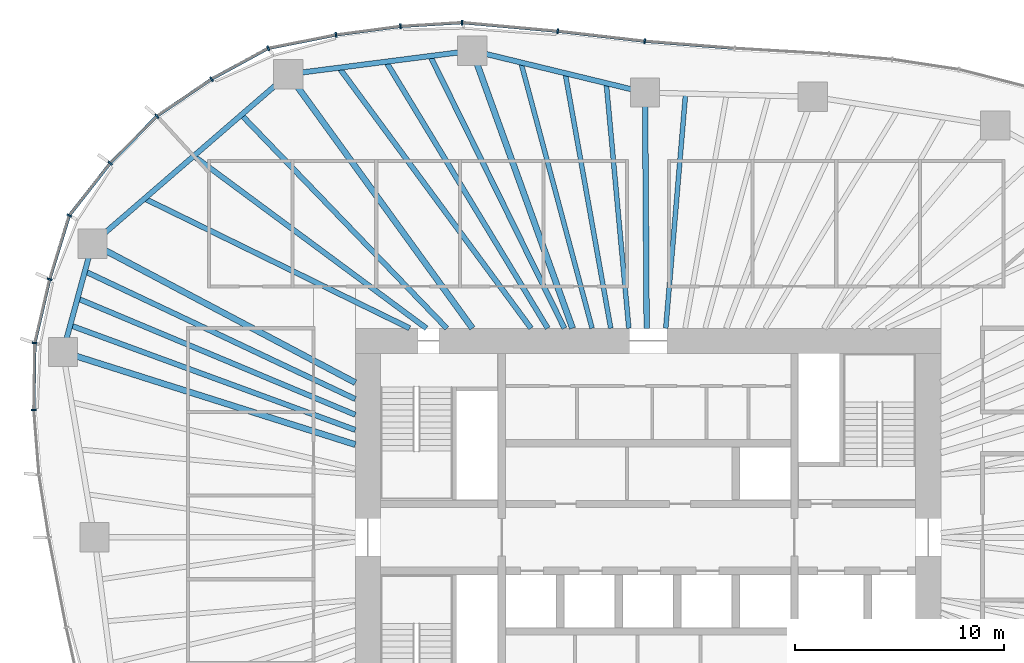
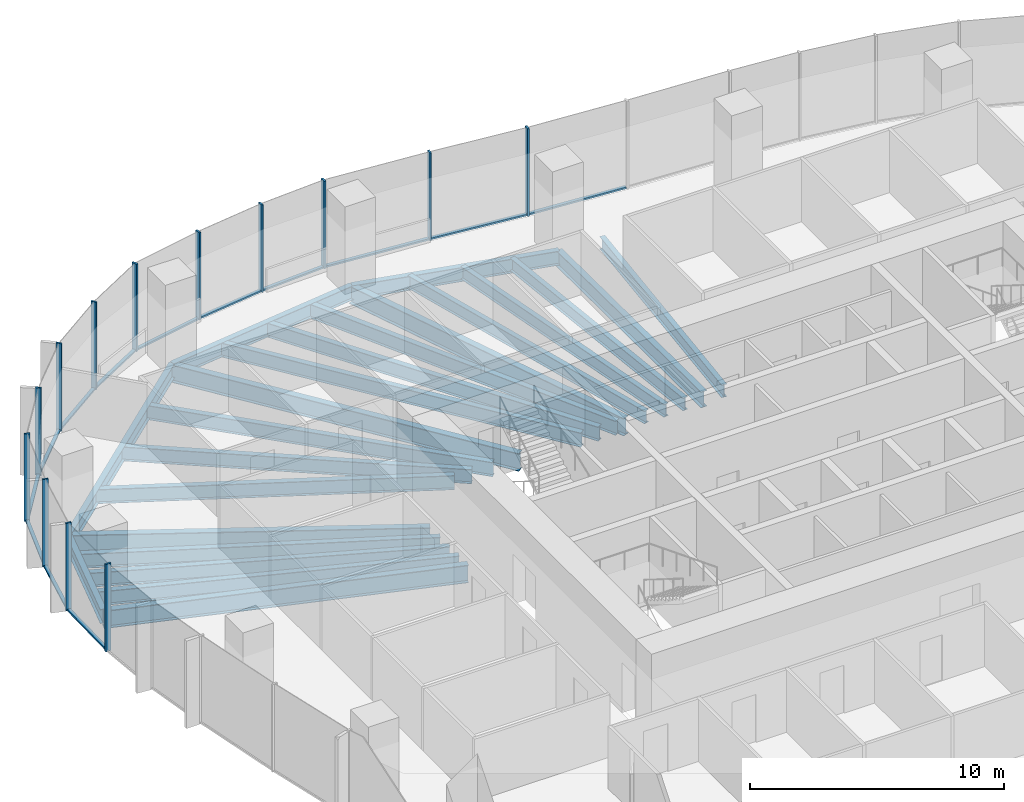
# One storey, part 5 of 18: 26 members, 22 beams, 6 elements without a shape of their own.
"""IFC4 building model written with IfcOpenShell, lengths in metres."""

from ifc_helpers import new_model, si_unit, direction, frame, origin, origin_2d, place, context, subcontext, project, spatial, rectangle, i_section, extrude, material, material_profile, profile_set, type_object, element, aggregate, save


model = new_model("IFC4")

# Units and contexts
model_context = context("Model", 3, precision=1e-05, world=origin(), true_north=direction((0.0, 1.0)))
body_context = subcontext(model_context, "Body", "Model", "MODEL_VIEW")
ifc_project = project(units=[si_unit("LENGTHUNIT", "METRE"), si_unit("AREAUNIT", "SQUARE_METRE"), si_unit("VOLUMEUNIT", "CUBIC_METRE"), si_unit("PLANEANGLEUNIT", "RADIAN"), si_unit("MASSUNIT", "GRAM", prefix="KILO")], contexts=[model_context])

# Site, building, storey
site_placement = place(None, origin())
site = spatial("IfcSite", under=ifc_project, at=site_placement, CompositionType="ELEMENT")
building_placement = place(site_placement, origin())
building = spatial("IfcBuilding", under=site, at=building_placement, Name="Ghaith Harvest Tower", CompositionType="ELEMENT")
storey_placement = place(building_placement, frame((0.0, 0.0, 172.199951171875)))
storey = spatial("IfcBuildingStorey", under=building, at=storey_placement, Name="L37", CompositionType="ELEMENT", Elevation=172.199951171875)

# Curtain wall, members
ifc_material_1 = material(Name="Black anodised aluminium and fritted glass", Category="aluminium")
curtain_wall_type = type_object("IfcCurtainWallType", Name="CW-L CURTAIN WALL", PredefinedType="NOTDEFINED", material=ifc_material_1)
curtain_wall_1_placement = place(storey_placement, origin())
curtain_wall_1 = element("IfcCurtainWall", 1, at=curtain_wall_1_placement, inside=storey, type_object=curtain_wall_type, Name="Curtain wall CW-L bay 06 L37", PredefinedType="NOTDEFINED")
ifc_material_2 = material(Name="Aluminium, black anodised", Category="aluminium")
ifc_material_profile_1 = material_profile(ifc_material_2, rectangle(XDim=0.080078125, YDim=0.239990234375, at=origin_2d()), Name="CW-L MULLION 80x240")
ifc_profile_set_1 = profile_set([ifc_material_profile_1], Name="Aluminium, black anodised")
member_type_1 = type_object("IfcMemberType", Name="CW-L MULLION 80x240", PredefinedType="MULLION", material=ifc_profile_set_1)
member_1_placement = place(storey_placement, frame((-0.162353515625, 23.729736328125, 0.0), z_axis=(0.0, 0.0, 1.0), x_axis=(-0.995388088953, 0.095929934691, 0.0)))
member_1 = element("IfcMember", 2, at=member_1_placement, type_object=member_type_1, Name="CW-L mullion 1 bay 06 L37", PredefinedType="MULLION", context=body_context, shape_type="SweptSolid", body=[
    extrude(rectangle(XDim=0.080078125, YDim=0.239990234375, at=origin_2d()), origin(), (0.0, 0.0, 1.0), 4.199951171875),
])
member_2_placement = place(storey_placement, frame((-4.322998046875, 24.207275390625, 0.0), z_axis=(0.0, 0.0, 1.0), x_axis=(-0.994830371571, 0.101550636625, 0.0)))
member_2 = element("IfcMember", 3, at=member_2_placement, type_object=member_type_1, Name="CW-L mullion 2 bay 06 L37", PredefinedType="MULLION", context=body_context, shape_type="SweptSolid", body=[
    extrude(rectangle(XDim=0.080078125, YDim=0.239990234375, at=origin_2d()), origin(), (0.0, 0.0, 1.0), 4.199951171875),
])

curtain_wall_2_placement = place(storey_placement, origin())
curtain_wall_2 = element("IfcCurtainWall", 4, at=curtain_wall_2_placement, inside=storey, type_object=curtain_wall_type, Name="Curtain wall CW-L bay 07 L37", PredefinedType="NOTDEFINED")
member_3_placement = place(storey_placement, frame((-8.892578125, 24.620849609375, 0.0), z_axis=(0.0, 0.0, 1.0), x_axis=(-0.999522209385, 0.030908784286, 0.0)))
member_3 = element("IfcMember", 5, at=member_3_placement, type_object=member_type_1, Name="CW-L mullion 1 bay 07 L37", PredefinedType="MULLION", context=body_context, shape_type="SweptSolid", body=[
    extrude(rectangle(XDim=0.080078125, YDim=0.239990234375, at=origin_2d()), origin(), (0.0, 0.0, 1.0), 4.199951171875),
])
member_4_placement = place(storey_placement, frame((-11.841064453125, 24.439697265625, 0.0), z_axis=(0.0, 0.0, 1.0), x_axis=(-0.995237520168, -0.097479630949, 0.0)))
member_4 = element("IfcMember", 6, at=member_4_placement, type_object=member_type_1, Name="CW-L mullion 2 bay 07 L37", PredefinedType="MULLION", context=body_context, shape_type="SweptSolid", body=[
    extrude(rectangle(XDim=0.080078125, YDim=0.239990234375, at=origin_2d()), origin(), (0.0, 0.0, 1.0), 4.199951171875),
])
member_5_placement = place(storey_placement, frame((-14.923828125, 24.030029296875, 0.0), z_axis=(0.0, 0.0, 1.0), x_axis=(-0.986494514812, -0.163794298578, 0.0)))
member_5 = element("IfcMember", 7, at=member_5_placement, type_object=member_type_1, Name="CW-L mullion 3 bay 07 L37", PredefinedType="MULLION", context=body_context, shape_type="SweptSolid", body=[
    extrude(rectangle(XDim=0.080078125, YDim=0.239990234375, at=origin_2d()), origin(), (0.0, 0.0, 1.0), 4.199951171875),
])

curtain_wall_3_placement = place(storey_placement, origin())
curtain_wall_3 = element("IfcCurtainWall", 8, at=curtain_wall_3_placement, inside=storey, type_object=curtain_wall_type, Name="Curtain wall CW-L bay 08 L37", PredefinedType="NOTDEFINED")
member_6_placement = place(storey_placement, frame((-18.165283203125, 23.3896484375, 0.0), z_axis=(0.0, 0.0, 1.0), x_axis=(-0.942103541202, -0.335322110298, 0.0)))
member_6 = element("IfcMember", 9, at=member_6_placement, type_object=member_type_1, Name="CW-L mullion 1 bay 08 L37", PredefinedType="MULLION", context=body_context, shape_type="SweptSolid", body=[
    extrude(rectangle(XDim=0.080078125, YDim=0.239990234375, at=origin_2d()), origin(), (0.0, 0.0, 1.0), 4.199951171875),
])
member_7_placement = place(storey_placement, frame((-20.87548828125, 21.91162109375, 0.0), z_axis=(0.0, 0.0, 1.0), x_axis=(-0.853515864435, -0.521066856707, 0.0)))
member_7 = element("IfcMember", 10, at=member_7_placement, type_object=member_type_1, Name="CW-L mullion 2 bay 08 L37", PredefinedType="MULLION", context=body_context, shape_type="SweptSolid", body=[
    extrude(rectangle(XDim=0.080078125, YDim=0.239990234375, at=origin_2d()), origin(), (0.0, 0.0, 1.0), 4.199951171875),
])
member_8_placement = place(storey_placement, frame((-23.489501953125, 20.13916015625, 0.0), z_axis=(0.0, 0.0, 1.0), x_axis=(-0.769682554376, -0.638426789451, 0.0)))
member_8 = element("IfcMember", 11, at=member_8_placement, type_object=member_type_1, Name="CW-L mullion 3 bay 08 L37", PredefinedType="MULLION", context=body_context, shape_type="SweptSolid", body=[
    extrude(rectangle(XDim=0.080078125, YDim=0.239990234375, at=origin_2d()), origin(), (0.0, 0.0, 1.0), 4.199951171875),
])

curtain_wall_4_placement = place(storey_placement, origin())
curtain_wall_4 = element("IfcCurtainWall", 12, at=curtain_wall_4_placement, inside=storey, type_object=curtain_wall_type, Name="Curtain wall CW-L bay 09 L37", PredefinedType="NOTDEFINED")
member_9_placement = place(storey_placement, frame((-25.718017578125, 17.894775390625, 0.0), z_axis=(0.0, 0.0, 1.0), x_axis=(-0.661903840688, -0.749588757708, 0.0)))
member_9 = element("IfcMember", 13, at=member_9_placement, type_object=member_type_1, Name="CW-L mullion 1 bay 09 L37", PredefinedType="MULLION", context=body_context, shape_type="SweptSolid", body=[
    extrude(rectangle(XDim=0.080078125, YDim=0.239990234375, at=origin_2d()), origin(), (0.0, 0.0, 1.0), 4.199951171875),
])
member_10_placement = place(storey_placement, frame((-27.67919921875, 15.39453125, 0.0), z_axis=(0.0, 0.0, 1.0), x_axis=(-0.462889784298, -0.886415843491, 0.0)))
member_10 = element("IfcMember", 14, at=member_10_placement, type_object=member_type_1, Name="CW-L mullion 2 bay 09 L37", PredefinedType="MULLION", context=body_context, shape_type="SweptSolid", body=[
    extrude(rectangle(XDim=0.080078125, YDim=0.239990234375, at=origin_2d()), origin(), (0.0, 0.0, 1.0), 4.199951171875),
])
member_11_placement = place(storey_placement, frame((-28.61669921875, 12.343994140625, 0.0), z_axis=(0.0, 0.0, 1.0), x_axis=(-0.260727312416, -0.965412486226, 0.0)))
member_11 = element("IfcMember", 15, at=member_11_placement, type_object=member_type_1, Name="CW-L mullion 3 bay 09 L37", PredefinedType="MULLION", context=body_context, shape_type="SweptSolid", body=[
    extrude(rectangle(XDim=0.080078125, YDim=0.239990234375, at=origin_2d()), origin(), (0.0, 0.0, 1.0), 4.199951171875),
])

curtain_wall_5_placement = place(storey_placement, origin())
curtain_wall_5 = element("IfcCurtainWall", 16, at=curtain_wall_5_placement, inside=storey, type_object=curtain_wall_type, Name="Curtain wall CW-L bay 10 L37", PredefinedType="NOTDEFINED")
member_12_placement = place(storey_placement, frame((-29.32666015625, 9.294189453125, 0.0), z_axis=(0.0, 0.0, 1.0), x_axis=(-0.120932140225, -0.99266077663, 0.0)))
member_12 = element("IfcMember", 17, at=member_12_placement, type_object=member_type_1, Name="CW-L mullion 1 bay 10 L37", PredefinedType="MULLION", context=body_context, shape_type="SweptSolid", body=[
    extrude(rectangle(XDim=0.080078125, YDim=0.239990234375, at=origin_2d()), origin(), (0.0, 0.0, 1.0), 4.199951171875),
])
member_13_placement = place(storey_placement, frame((-29.3779296875, 6.09619140625, 0.0), z_axis=(0.0, 0.0, 1.0), x_axis=(0.031027769448, -0.999518522851, 0.0)))
member_13 = element("IfcMember", 18, at=member_13_placement, type_object=member_type_1, Name="CW-L mullion 2 bay 10 L37", PredefinedType="MULLION", context=body_context, shape_type="SweptSolid", body=[
    extrude(rectangle(XDim=0.080078125, YDim=0.239990234375, at=origin_2d()), origin(), (0.0, 0.0, 1.0), 4.199951171875),
])

# Curtain wall, member
curtain_wall_6_placement = place(storey_placement, origin())
curtain_wall_6 = element("IfcCurtainWall", 19, at=curtain_wall_6_placement, inside=storey, type_object=curtain_wall_type, Name="Curtain wall CW-L bay 05 L37", PredefinedType="NOTDEFINED")
ifc_material_3 = material(Name="Aluminium, black anodised", Category="aluminium")
ifc_material_profile_2 = material_profile(ifc_material_3, rectangle(XDim=0.14990234375, YDim=0.080078125, at=origin_2d()), Name="CW-L TRANSOM 150x80")
ifc_profile_set_2 = profile_set([ifc_material_profile_2], Name="Aluminium, black anodised")
member_type_2 = type_object("IfcMemberType", Name="CW-L TRANSOM 150x80", PredefinedType="USERDEFINED", material=ifc_profile_set_2)
member_14_placement = place(storey_placement, frame((4.106689453125, 23.39404296875, 0.0400390625), z_axis=(-0.996923406046, 0.078381901463, 0.0), x_axis=(-0.078381901463, -0.996923406046, 0.0)))
member_14 = element("IfcMember", 20, at=member_14_placement, type_object=member_type_2, Name="CW-L transom 2 bay 05 L37", ObjectType="TRANSOM", PredefinedType="USERDEFINED", context=body_context, shape_type="SweptSolid", body=[
    extrude(rectangle(XDim=0.14990234375, YDim=0.080078125, at=origin_2d()), origin(), (0.0, 0.0, 1.0), 4.2421875),
])
aggregate(curtain_wall_6, [member_14])

# Member
member_15_placement = place(storey_placement, frame((-0.2021484375, 23.734130859375, 0.0400390625), z_axis=(-0.993474883942, 0.114051106861, 0.0), x_axis=(-0.114051106861, -0.993474883942, 0.0)))
member_15 = element("IfcMember", 21, at=member_15_placement, type_object=member_type_2, Name="CW-L transom 1 bay 06 L37", ObjectType="TRANSOM", PredefinedType="USERDEFINED", context=body_context, shape_type="SweptSolid", body=[
    extrude(rectangle(XDim=0.14990234375, YDim=0.080078125, at=origin_2d()), origin(), (0.0, 0.0, 1.0), 4.10791015625),
])

member_16_placement = place(storey_placement, frame((-4.36279296875, 24.210693359375, 0.0400390625), z_axis=(-0.995926431676, 0.090169521954, 0.0), x_axis=(-0.090169521954, -0.995926431676, 0.0)))
member_16 = element("IfcMember", 22, at=member_16_placement, type_object=member_type_2, Name="CW-L transom 2 bay 06 L37", ObjectType="TRANSOM", PredefinedType="USERDEFINED", context=body_context, shape_type="SweptSolid", body=[
    extrude(rectangle(XDim=0.14990234375, YDim=0.080078125, at=origin_2d()), origin(), (0.0, 0.0, 1.0), 4.508056640625),
])

aggregate(curtain_wall_1, [member_1, member_15, member_2, member_16])

member_17_placement = place(storey_placement, frame((-8.932373046875, 24.618408203125, 0.0400390625), z_axis=(-0.998117793577, -0.061325933705, 0.0), x_axis=(0.061325933705, -0.998117793577, 0.0)))
member_17 = element("IfcMember", 23, at=member_17_placement, type_object=member_type_2, Name="CW-L transom 1 bay 07 L37", ObjectType="TRANSOM", PredefinedType="USERDEFINED", context=body_context, shape_type="SweptSolid", body=[
    extrude(rectangle(XDim=0.14990234375, YDim=0.080078125, at=origin_2d()), origin(), (0.0, 0.0, 1.0), 2.874267578125),
])

member_18_placement = place(storey_placement, frame((-11.880859375, 24.434326171875, 0.0400390625), z_axis=(-0.991293929443, -0.131667556553, 0.0), x_axis=(0.131667556553, -0.991293929443, 0.0)))
member_18 = element("IfcMember", 24, at=member_18_placement, type_object=member_type_2, Name="CW-L transom 2 bay 07 L37", ObjectType="TRANSOM", PredefinedType="USERDEFINED", context=body_context, shape_type="SweptSolid", body=[
    extrude(rectangle(XDim=0.14990234375, YDim=0.080078125, at=origin_2d()), origin(), (0.0, 0.0, 1.0), 3.02978515625),
])

member_19_placement = place(storey_placement, frame((-14.963134765625, 24.022216796875, 0.0400390625), z_axis=(-0.98104391994, -0.19378551842, 0.0), x_axis=(0.19378551842, -0.98104391994, 0.0)))
member_19 = element("IfcMember", 25, at=member_19_placement, type_object=member_type_2, Name="CW-L transom 3 bay 07 L37", ObjectType="TRANSOM", PredefinedType="USERDEFINED", context=body_context, shape_type="SweptSolid", body=[
    extrude(rectangle(XDim=0.14990234375, YDim=0.080078125, at=origin_2d()), origin(), (0.0, 0.0, 1.0), 3.223876953125),
])

aggregate(curtain_wall_2, [member_3, member_17, member_4, member_18, member_5, member_19])

member_20_placement = place(storey_placement, frame((-18.200439453125, 23.37060546875, 0.0400390625), z_axis=(-0.877929702377, -0.478789554695, 0.0), x_axis=(0.478789554695, -0.877929702377, 0.0)))
member_20 = element("IfcMember", 26, at=member_20_placement, type_object=member_type_2, Name="CW-L transom 1 bay 08 L37", ObjectType="TRANSOM", PredefinedType="USERDEFINED", context=body_context, shape_type="SweptSolid", body=[
    extrude(rectangle(XDim=0.14990234375, YDim=0.080078125, at=origin_2d()), origin(), (0.0, 0.0, 1.0), 3.0068359375),
])

member_21_placement = place(storey_placement, frame((-20.908447265625, 21.88916015625, 0.0400390625), z_axis=(-0.827681025079, -0.561198824593, 0.0), x_axis=(0.561198824593, -0.827681025079, 0.0)))
member_21 = element("IfcMember", 27, at=member_21_placement, type_object=member_type_2, Name="CW-L transom 2 bay 08 L37", ObjectType="TRANSOM", PredefinedType="USERDEFINED", context=body_context, shape_type="SweptSolid", body=[
    extrude(rectangle(XDim=0.14990234375, YDim=0.080078125, at=origin_2d()), origin(), (0.0, 0.0, 1.0), 3.078369140625),
])

member_22_placement = place(storey_placement, frame((-23.517578125, 20.11083984375, 0.0400390625), z_axis=(-0.704647577514, -0.709557461735, 0.0), x_axis=(0.709557461735, -0.704647577514, 0.0)))
member_22 = element("IfcMember", 28, at=member_22_placement, type_object=member_type_2, Name="CW-L transom 3 bay 08 L37", ObjectType="TRANSOM", PredefinedType="USERDEFINED", context=body_context, shape_type="SweptSolid", body=[
    extrude(rectangle(XDim=0.14990234375, YDim=0.080078125, at=origin_2d()), origin(), (0.0, 0.0, 1.0), 3.0830078125),
])

aggregate(curtain_wall_3, [member_6, member_20, member_7, member_21, member_8, member_22])

member_23_placement = place(storey_placement, frame((-25.74267578125, 17.86328125, 0.0400390625), z_axis=(-0.617198298797, -0.786807638474, 0.0), x_axis=(0.786807638474, -0.617198298797, 0.0)))
member_23 = element("IfcMember", 29, at=member_23_placement, type_object=member_type_2, Name="CW-L transom 1 bay 09 L37", ObjectType="TRANSOM", PredefinedType="USERDEFINED", context=body_context, shape_type="SweptSolid", body=[
    extrude(rectangle(XDim=0.14990234375, YDim=0.080078125, at=origin_2d()), origin(), (0.0, 0.0, 1.0), 3.09765625),
])

member_24_placement = place(storey_placement, frame((-27.69091796875, 15.356201171875, 0.0400390625), z_axis=(-0.293777058804, -0.955873966441, 0.0), x_axis=(0.955873966441, -0.293777058804, 0.0)))
member_24 = element("IfcMember", 30, at=member_24_placement, type_object=member_type_2, Name="CW-L transom 2 bay 09 L37", ObjectType="TRANSOM", PredefinedType="USERDEFINED", context=body_context, shape_type="SweptSolid", body=[
    extrude(rectangle(XDim=0.14990234375, YDim=0.080078125, at=origin_2d()), origin(), (0.0, 0.0, 1.0), 3.111328125),
])

member_25_placement = place(storey_placement, frame((-28.6259765625, 12.304931640625, 0.0400390625), z_axis=(-0.226670598607, -0.973971477882, 0.0), x_axis=(0.973971477882, -0.226670598607, 0.0)))
member_25 = element("IfcMember", 31, at=member_25_placement, type_object=member_type_2, Name="CW-L transom 3 bay 09 L37", ObjectType="TRANSOM", PredefinedType="USERDEFINED", context=body_context, shape_type="SweptSolid", body=[
    extrude(rectangle(XDim=0.14990234375, YDim=0.080078125, at=origin_2d()), origin(), (0.0, 0.0, 1.0), 3.05126953125),
])

aggregate(curtain_wall_4, [member_9, member_23, member_10, member_24, member_11, member_25])

member_26_placement = place(storey_placement, frame((-29.327392578125, 9.254150390625, 0.0400390625), z_axis=(-0.015971652868, -0.999872445017, 0.0), x_axis=(0.999872445017, -0.015971652868, 0.0)))
member_26 = element("IfcMember", 32, at=member_26_placement, type_object=member_type_2, Name="CW-L transom 1 bay 10 L37", ObjectType="TRANSOM", PredefinedType="USERDEFINED", context=body_context, shape_type="SweptSolid", body=[
    extrude(rectangle(XDim=0.14990234375, YDim=0.080078125, at=origin_2d()), origin(), (0.0, 0.0, 1.0), 3.118408203125),
])

aggregate(curtain_wall_5, [member_12, member_26, member_13])

# Beams
ifc_material_4 = material(Name="Steel ASTM A992 Grade 50", Category="steel")
ifc_material_profile_3 = material_profile(ifc_material_4, i_section(OverallWidth=0.25390625, OverallDepth=0.68408203125, WebThickness=0.012451171875, FlangeThickness=0.018798828125, at=origin_2d()), Name="W690X140")
ifc_profile_set_3 = profile_set([ifc_material_profile_3], Name="Steel ASTM A992 Grade 50")
beam_type_1 = type_object("IfcBeamType", Name="E690-140 W690X140", PredefinedType="SPANDREL", material=ifc_profile_set_3)
beam_1_placement = place(storey_placement, frame((-0.14599609375, 21.27099609375, -0.511962890625), z_axis=(-0.971790293477, 0.235846614358, 0.0), x_axis=(-0.235846614358, -0.971790293477, 0.0)))
element("IfcBeam", 33, at=beam_1_placement, inside=storey, type_object=beam_type_1, Name="Edge beam E06 L37", PredefinedType="SPANDREL", context=body_context, shape_type="SweptSolid", body=[
    extrude(i_section(OverallWidth=0.25390625, OverallDepth=0.68408203125, WebThickness=0.012451171875, FlangeThickness=0.018798828125, at=origin_2d()), origin(), (0.0, 0.0, 1.0), 8.500732421875),
])
beam_2_placement = place(storey_placement, frame((-8.406982421875, 23.27587890625, -0.511962890625), z_axis=(-0.991904090065, -0.126989275577, 0.0), x_axis=(0.126989275577, -0.991904090065, 0.0)))
element("IfcBeam", 34, at=beam_2_placement, inside=storey, type_object=beam_type_1, Name="Edge beam E07 L37", PredefinedType="SPANDREL", context=body_context, shape_type="SweptSolid", body=[
    extrude(i_section(OverallWidth=0.25390625, OverallDepth=0.68408203125, WebThickness=0.012451171875, FlangeThickness=0.018798828125, at=origin_2d()), origin(), (0.0, 0.0, 1.0), 8.86669921875),
])
beam_3_placement = place(storey_placement, frame((-17.201904296875, 22.14990234375, -0.511962890625), z_axis=(-0.756392158274, -0.654118416574, 0.0), x_axis=(0.654118416574, -0.756392158274, 0.0)))
element("IfcBeam", 35, at=beam_3_placement, inside=storey, type_object=beam_type_1, Name="Edge beam E08 L37", PredefinedType="SPANDREL", context=body_context, shape_type="SweptSolid", body=[
    extrude(i_section(OverallWidth=0.25390625, OverallDepth=0.68408203125, WebThickness=0.012451171875, FlangeThickness=0.018798828125, at=origin_2d()), origin(), (0.0, 0.0, 1.0), 12.38916015625),
])
beam_4_placement = place(storey_placement, frame((-26.572998046875, 14.0458984375, -0.511962890625), z_axis=(-0.262724740433, -0.964870825947, 0.0), x_axis=(0.964870825947, -0.262724740433, 0.0)))
element("IfcBeam", 36, at=beam_4_placement, inside=storey, type_object=beam_type_1, Name="Edge beam E09 L37", PredefinedType="SPANDREL", context=body_context, shape_type="SweptSolid", body=[
    extrude(i_section(OverallWidth=0.25390625, OverallDepth=0.68408203125, WebThickness=0.012451171875, FlangeThickness=0.018798828125, at=origin_2d()), origin(), (0.0, 0.0, 1.0), 5.366455078125),
])
ifc_material_5 = material(Name="Steel ASTM A992 Grade 50", Category="steel")
ifc_material_profile_4 = material_profile(ifc_material_5, i_section(OverallWidth=0.26806640625, OverallDepth=0.77001953125, WebThickness=0.015625, FlangeThickness=0.025390625, at=origin_2d()), Name="W760X196")
ifc_profile_set_4 = profile_set([ifc_material_profile_4], Name="Steel ASTM A992 Grade 50")
beam_type_2 = type_object("IfcBeamType", Name="G760-196 W760X196", PredefinedType="BEAM", material=ifc_profile_set_4)
beam_5_placement = place(storey_placement, frame((-0.068359375, 10.0, -0.554931640625), z_axis=(-0.006888022705, 0.99997627729, 0.0), x_axis=(-0.99997627729, -0.006888022705, 0.0)))
element("IfcBeam", 37, at=beam_5_placement, inside=storey, type_object=beam_type_2, Name="Radial girder G06 L37", PredefinedType="BEAM", context=body_context, shape_type="SweptSolid", body=[
    extrude(i_section(OverallWidth=0.26806640625, OverallDepth=0.77001953125, WebThickness=0.015625, FlangeThickness=0.025390625, at=origin_2d()), origin(), (0.0, 0.0, 1.0), 11.271240234375),
])
ifc_material_6 = material(Name="Steel ASTM A992 Grade 50", Category="steel")
ifc_material_profile_5 = material_profile(ifc_material_6, i_section(OverallWidth=0.2939453125, OverallDepth=0.85107421875, WebThickness=0.01611328125, FlangeThickness=0.02685546875, at=origin_2d()), Name="W840X226")
ifc_profile_set_5 = profile_set([ifc_material_profile_5], Name="Steel ASTM A992 Grade 50")
beam_type_3 = type_object("IfcBeamType", Name="G840-226 W840X226", PredefinedType="BEAM", material=ifc_profile_set_5)
beam_6_placement = place(storey_placement, frame((-3.61181640625, 10.0, -0.595458984375), z_axis=(-0.339713316819, 0.940529033245, 0.0), x_axis=(-0.940529033245, -0.339713316819, 0.0)))
element("IfcBeam", 38, at=beam_6_placement, inside=storey, type_object=beam_type_3, Name="Radial girder G07 L37", PredefinedType="BEAM", context=body_context, shape_type="SweptSolid", body=[
    extrude(i_section(OverallWidth=0.2939453125, OverallDepth=0.85107421875, WebThickness=0.01611328125, FlangeThickness=0.02685546875, at=origin_2d()), origin(), (0.0, 0.0, 1.0), 14.115234375),
])
beam_7_placement = place(storey_placement, frame((-8.39990234375, 10.0, -0.595458984375), z_axis=(-0.586675813287, 0.809821887889, 0.0), x_axis=(-0.809821887889, -0.586675813287, 0.0)))
element("IfcBeam", 39, at=beam_7_placement, inside=storey, type_object=beam_type_3, Name="Radial girder G08 L37", PredefinedType="BEAM", context=body_context, shape_type="SweptSolid", body=[
    extrude(i_section(OverallWidth=0.2939453125, OverallDepth=0.85107421875, WebThickness=0.01611328125, FlangeThickness=0.02685546875, at=origin_2d()), origin(), (0.0, 0.0, 1.0), 15.003173828125),
])
beam_8_placement = place(storey_placement, frame((-14.0, 7.39990234375, -0.595458984375), z_axis=(-0.88408713845, 0.467322085533, 0.0), x_axis=(-0.467322085533, -0.88408713845, 0.0)))
element("IfcBeam", 40, at=beam_8_placement, inside=storey, type_object=beam_type_3, Name="Radial girder G09 L37", PredefinedType="BEAM", context=body_context, shape_type="SweptSolid", body=[
    extrude(i_section(OverallWidth=0.2939453125, OverallDepth=0.85107421875, WebThickness=0.01611328125, FlangeThickness=0.02685546875, at=origin_2d()), origin(), (0.0, 0.0, 1.0), 14.221435546875),
])
beam_9_placement = place(storey_placement, frame((-14.0, 4.43701171875, -0.595458984375), z_axis=(-0.953283605796, 0.302076756671, 0.0), x_axis=(-0.302076756671, -0.953283605796, 0.0)))
element("IfcBeam", 41, at=beam_9_placement, inside=storey, type_object=beam_type_3, Name="Radial girder G10 L37", PredefinedType="BEAM", context=body_context, shape_type="SweptSolid", body=[
    extrude(i_section(OverallWidth=0.2939453125, OverallDepth=0.85107421875, WebThickness=0.01611328125, FlangeThickness=0.02685546875, at=origin_2d()), origin(), (0.0, 0.0, 1.0), 14.668212890625),
])
ifc_material_7 = material(Name="Steel ASTM A992 Grade 50", Category="steel")
ifc_material_profile_6 = material_profile(ifc_material_7, i_section(OverallWidth=0.22900390625, OverallDepth=0.612060546875, WebThickness=0.011962890625, FlangeThickness=0.01953125, at=origin_2d()), Name="W610X125")
ifc_profile_set_6 = profile_set([ifc_material_profile_6], Name="Steel ASTM A992 Grade 50")
beam_type_4 = type_object("IfcBeamType", Name="J610-125 W610X125", PredefinedType="JOIST", material=ifc_profile_set_6)
beam_10_placement = place(storey_placement, frame((0.844970703125, 10.0, -0.475830078125), z_axis=(0.084213263804, 0.996447753873, 0.0), x_axis=(-0.996447753873, 0.084213263804, 0.0)))
element("IfcBeam", 42, at=beam_10_placement, inside=storey, type_object=beam_type_4, Name="Joist J05.3 L37", PredefinedType="JOIST", context=body_context, shape_type="SweptSolid", body=[
    extrude(i_section(OverallWidth=0.22900390625, OverallDepth=0.612060546875, WebThickness=0.011962890625, FlangeThickness=0.01953125, at=origin_2d()), origin(), (0.0, 0.0, 1.0), 11.262939453125),
])
beam_11_placement = place(storey_placement, frame((-0.92041015625, 10.0, -0.475830078125), z_axis=(-0.091659676302, 0.995790391468, 0.0), x_axis=(-0.995790391468, -0.091659676302, 0.0)))
element("IfcBeam", 43, at=beam_11_placement, inside=storey, type_object=beam_type_4, Name="Joist J06.1 L37", PredefinedType="JOIST", context=body_context, shape_type="SweptSolid", body=[
    extrude(i_section(OverallWidth=0.22900390625, OverallDepth=0.612060546875, WebThickness=0.011962890625, FlangeThickness=0.01953125, at=origin_2d()), origin(), (0.0, 0.0, 1.0), 11.770263671875),
])
beam_12_placement = place(storey_placement, frame((-1.785888671875, 10.0, -0.475830078125), z_axis=(-0.175794730188, 0.984426844838, 0.0), x_axis=(-0.984426844838, -0.175794730188, 0.0)))
element("IfcBeam", 44, at=beam_12_placement, inside=storey, type_object=beam_type_4, Name="Joist J06.2 L37", PredefinedType="JOIST", context=body_context, shape_type="SweptSolid", body=[
    extrude(i_section(OverallWidth=0.22900390625, OverallDepth=0.612060546875, WebThickness=0.011962890625, FlangeThickness=0.01953125, at=origin_2d()), origin(), (0.0, 0.0, 1.0), 12.390625),
])
beam_13_placement = place(storey_placement, frame((-2.677978515625, 10.0, -0.475830078125), z_axis=(-0.258692500157, 0.965959725021, 0.0), x_axis=(-0.965959725021, -0.258692500157, 0.0)))
element("IfcBeam", 45, at=beam_13_placement, inside=storey, type_object=beam_type_4, Name="Joist J06.3 L37", PredefinedType="JOIST", context=body_context, shape_type="SweptSolid", body=[
    extrude(i_section(OverallWidth=0.22900390625, OverallDepth=0.612060546875, WebThickness=0.011962890625, FlangeThickness=0.01953125, at=origin_2d()), origin(), (0.0, 0.0, 1.0), 13.15966796875),
])
ifc_material_8 = material(Name="Steel ASTM A992 Grade 50", Category="steel")
ifc_material_profile_7 = material_profile(ifc_material_8, i_section(OverallWidth=0.25390625, OverallDepth=0.68408203125, WebThickness=0.012451171875, FlangeThickness=0.018798828125, at=origin_2d()), Name="W690X140")
ifc_profile_set_7 = profile_set([ifc_material_profile_7], Name="Steel ASTM A992 Grade 50")
beam_type_5 = type_object("IfcBeamType", Name="J690-140 W690X140", PredefinedType="JOIST", material=ifc_profile_set_7)
beam_14_placement = place(storey_placement, frame((-4.0, 10.0, -0.511962890625), z_axis=(-0.442214455448, 0.896909346251, 0.0), x_axis=(-0.896909346251, -0.442214455448, 0.0)))
element("IfcBeam", 46, at=beam_14_placement, inside=storey, type_object=beam_type_5, Name="Joist J07.1 L37", PredefinedType="JOIST", context=body_context, shape_type="SweptSolid", body=[
    extrude(i_section(OverallWidth=0.25390625, OverallDepth=0.68408203125, WebThickness=0.012451171875, FlangeThickness=0.018798828125, at=origin_2d()), origin(), (0.0, 0.0, 1.0), 14.514892578125),
])
beam_15_placement = place(storey_placement, frame((-4.800048828125, 10.0, -0.511962890625), z_axis=(-0.51847337083, 0.855093774822, 0.0), x_axis=(-0.855093774822, -0.51847337083, 0.0)))
element("IfcBeam", 47, at=beam_15_placement, inside=storey, type_object=beam_type_5, Name="Joist J07.2 L37", PredefinedType="JOIST", context=body_context, shape_type="SweptSolid", body=[
    extrude(i_section(OverallWidth=0.25390625, OverallDepth=0.68408203125, WebThickness=0.012451171875, FlangeThickness=0.018798828125, at=origin_2d()), origin(), (0.0, 0.0, 1.0), 14.90869140625),
])
beam_16_placement = place(storey_placement, frame((-5.60009765625, 10.0, -0.511962890625), z_axis=(-0.592984827174, 0.805213632983, 0.0), x_axis=(-0.805213632983, -0.592984827174, 0.0)))
element("IfcBeam", 48, at=beam_16_placement, inside=storey, type_object=beam_type_5, Name="Joist J07.3 L37", PredefinedType="JOIST", context=body_context, shape_type="SweptSolid", body=[
    extrude(i_section(OverallWidth=0.25390625, OverallDepth=0.68408203125, WebThickness=0.012451171875, FlangeThickness=0.018798828125, at=origin_2d()), origin(), (0.0, 0.0, 1.0), 15.474609375),
])
beam_17_placement = place(storey_placement, frame((-9.626708984375, 10.0, -0.511962890625), z_axis=(-0.693535693616, 0.720422266231, 0.0), x_axis=(-0.720422266231, -0.693535693616, 0.0)))
element("IfcBeam", 49, at=beam_17_placement, inside=storey, type_object=beam_type_5, Name="Joist J08.1 L37", PredefinedType="JOIST", context=body_context, shape_type="SweptSolid", body=[
    extrude(i_section(OverallWidth=0.25390625, OverallDepth=0.68408203125, WebThickness=0.012451171875, FlangeThickness=0.018798828125, at=origin_2d()), origin(), (0.0, 0.0, 1.0), 14.16552734375),
])
beam_18_placement = place(storey_placement, frame((-10.60009765625, 10.0, -0.511962890625), z_axis=(-0.803663089107, 0.595084564752, 0.0), x_axis=(-0.595084564752, -0.803663089107, 0.0)))
element("IfcBeam", 50, at=beam_18_placement, inside=storey, type_object=beam_type_5, Name="Joist J08.2 L37", PredefinedType="JOIST", context=body_context, shape_type="SweptSolid", body=[
    extrude(i_section(OverallWidth=0.25390625, OverallDepth=0.68408203125, WebThickness=0.012451171875, FlangeThickness=0.018798828125, at=origin_2d()), origin(), (0.0, 0.0, 1.0), 13.843505859375),
])
beam_19_placement = place(storey_placement, frame((-11.39990234375, 10.0, -0.511962890625), z_axis=(-0.898274832354, 0.439434096946, 0.0), x_axis=(-0.439434096946, -0.898274832354, 0.0)))
element("IfcBeam", 51, at=beam_19_placement, inside=storey, type_object=beam_type_5, Name="Joist J08.3 L37", PredefinedType="JOIST", context=body_context, shape_type="SweptSolid", body=[
    extrude(i_section(OverallWidth=0.25390625, OverallDepth=0.68408203125, WebThickness=0.012451171875, FlangeThickness=0.018798828125, at=origin_2d()), origin(), (0.0, 0.0, 1.0), 14.114990234375),
])
beam_20_placement = place(storey_placement, frame((-14.0, 6.614990234375, -0.511962890625), z_axis=(-0.904153428261, 0.427207886354, 0.0), x_axis=(-0.427207886354, -0.904153428261, 0.0)))
element("IfcBeam", 52, at=beam_20_placement, inside=storey, type_object=beam_type_5, Name="Joist J09.1 L37", PredefinedType="JOIST", context=body_context, shape_type="SweptSolid", body=[
    extrude(i_section(OverallWidth=0.25390625, OverallDepth=0.68408203125, WebThickness=0.012451171875, FlangeThickness=0.018798828125, at=origin_2d()), origin(), (0.0, 0.0, 1.0), 14.303466796875),
])
beam_21_placement = place(storey_placement, frame((-14.0, 5.862548828125, -0.511962890625), z_axis=(-0.922385943167, 0.38626955853, 0.0), x_axis=(-0.38626955853, -0.922385943167, 0.0)))
element("IfcBeam", 53, at=beam_21_placement, inside=storey, type_object=beam_type_5, Name="Joist J09.2 L37", PredefinedType="JOIST", context=body_context, shape_type="SweptSolid", body=[
    extrude(i_section(OverallWidth=0.25390625, OverallDepth=0.68408203125, WebThickness=0.012451171875, FlangeThickness=0.018798828125, at=origin_2d()), origin(), (0.0, 0.0, 1.0), 14.404296875),
])
beam_22_placement = place(storey_placement, frame((-14.0, 5.137939453125, -0.511962890625), z_axis=(-0.93877541132, 0.344529718748, 0.0), x_axis=(-0.344529718748, -0.93877541132, 0.0)))
element("IfcBeam", 54, at=beam_22_placement, inside=storey, type_object=beam_type_5, Name="Joist J09.3 L37", PredefinedType="JOIST", context=body_context, shape_type="SweptSolid", body=[
    extrude(i_section(OverallWidth=0.25390625, OverallDepth=0.68408203125, WebThickness=0.012451171875, FlangeThickness=0.018798828125, at=origin_2d()), origin(), (0.0, 0.0, 1.0), 14.525390625),
])

save(model, "model.ifc")
